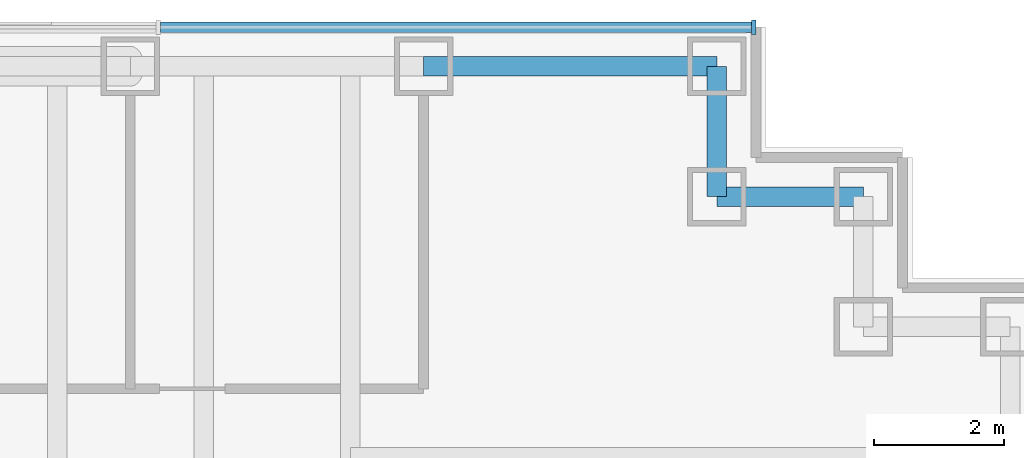
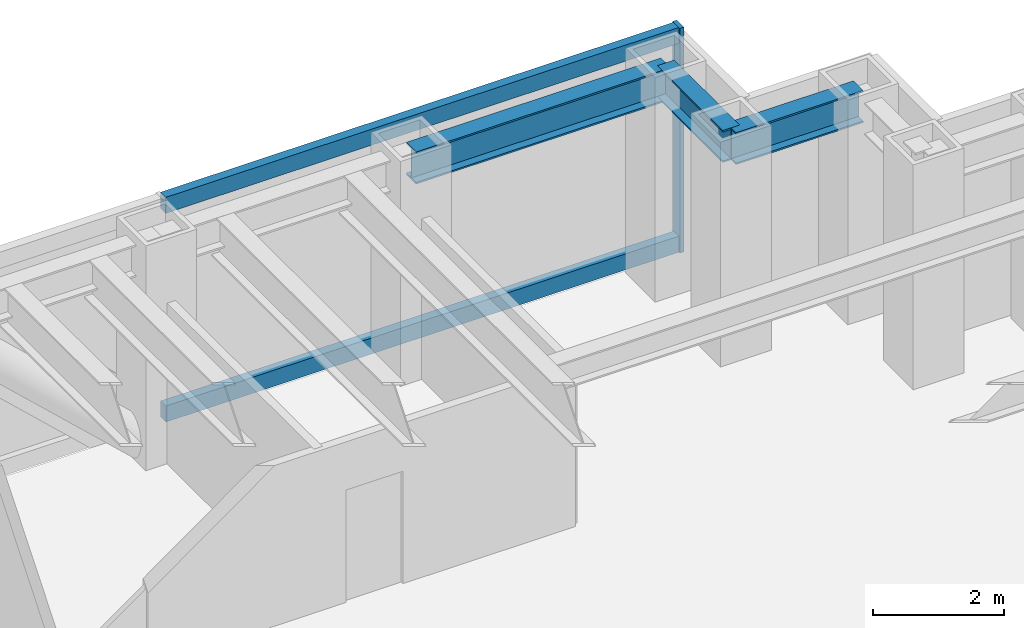
# One storey, part 8 of 17: 3 beams, 3 members, 1 element without a shape of its own.
"""IFC4 building model written with IfcOpenShell, lengths in metres."""

from ifc_helpers import new_model, si_unit, direction, frame, origin, origin_2d, place, context, subcontext, project, spatial, rectangle, i_section, extrude, material, material_profile, profile_set, type_object, element, aggregate, save


model = new_model("IFC4")

# Units and contexts
model_context = context("Model", 3, precision=1e-05, world=origin(), true_north=direction((0.0, 1.0)))
body_context = subcontext(model_context, "Body", "Model", "MODEL_VIEW")
ifc_project = project(units=[si_unit("LENGTHUNIT", "METRE"), si_unit("AREAUNIT", "SQUARE_METRE"), si_unit("VOLUMEUNIT", "CUBIC_METRE"), si_unit("PLANEANGLEUNIT", "RADIAN"), si_unit("MASSUNIT", "GRAM", prefix="KILO")], contexts=[model_context])

# Site, building, storey
site_placement = place(None, origin())
site = spatial("IfcSite", under=ifc_project, at=site_placement, CompositionType="ELEMENT")
building_placement = place(site_placement, origin())
building = spatial("IfcBuilding", under=site, at=building_placement, Name="Rheinbord Bourse Tower", CompositionType="ELEMENT")
storey_placement = place(building_placement, frame((0.0, 0.0, 223.60009765625)))
storey = spatial("IfcBuildingStorey", under=building, at=storey_placement, Name="L50", CompositionType="ELEMENT", Elevation=223.60009765625)

# Curtain wall, members
ifc_material_1 = material(Name="Dark glass and black aluminium", Category="aluminium")
curtain_wall_type = type_object("IfcCurtainWallType", Name="CW2 DARK GLASS CURTAIN WALL", PredefinedType="USERDEFINED", material=ifc_material_1)
curtain_wall_placement = place(storey_placement, origin())
curtain_wall = element("IfcCurtainWall", 1, at=curtain_wall_placement, inside=storey, type_object=curtain_wall_type, Name="Curtain wall CW2 N L50", ObjectType="UNITISED CURTAIN WALL", PredefinedType="USERDEFINED")
ifc_material_2 = material(Name="Black anodised aluminium", Category="aluminium")
ifc_material_profile_1 = material_profile(ifc_material_2, rectangle(XDim=0.219970703125, YDim=0.070068359375, at=origin_2d()), Name="CW2 MULLION 70x220")
ifc_profile_set_1 = profile_set([ifc_material_profile_1], Name="Black anodised aluminium")
member_type_1 = type_object("IfcMemberType", Name="CW2 BLACK MULLION", PredefinedType="MULLION", material=ifc_profile_set_1)
member_1_placement = place(storey_placement, frame((68.06494140625, 44.60009765625, 0.0), z_axis=(0.0, 0.0, 1.0), x_axis=(0.0, -1.0, 0.0)))
member_1 = element("IfcMember", 2, at=member_1_placement, type_object=member_type_1, Name="CW2 mullion 1", PredefinedType="MULLION", context=body_context, shape_type="SweptSolid", body=[
    extrude(rectangle(XDim=0.219970703125, YDim=0.070068359375, at=origin_2d()), origin(), (0.0, 0.0, 1.0), 4.199951171875),
])
ifc_material_3 = material(Name="Black anodised aluminium", Category="aluminium")
ifc_material_profile_2 = material_profile(ifc_material_3, rectangle(XDim=0.159912109375, YDim=0.300048828125, at=origin_2d()), Name="CW2 TRANSOM 300x160")
ifc_profile_set_2 = profile_set([ifc_material_profile_2], Name="Black anodised aluminium")
member_type_2 = type_object("IfcMemberType", Name="CW2 BLACK TRANSOM", PredefinedType="USERDEFINED", material=ifc_profile_set_2)
member_2_placement = place(storey_placement, frame((68.030029296875, 44.60009765625, 0.14990234375), z_axis=(-1.0, 0.0, 0.0), x_axis=(0.0, -1.0, 0.0)))
member_2 = element("IfcMember", 3, at=member_2_placement, type_object=member_type_2, Name="CW2 transom 1.1", ObjectType="TRANSOM", PredefinedType="USERDEFINED", context=body_context, shape_type="SweptSolid", body=[
    extrude(rectangle(XDim=0.159912109375, YDim=0.300048828125, at=origin_2d()), origin(), (0.0, 0.0, 1.0), 9.06640625),
])
member_3_placement = place(storey_placement, frame((68.030029296875, 44.60009765625, 4.0498046875), z_axis=(-1.0, 0.0, 0.0), x_axis=(0.0, -1.0, 0.0)))
member_3 = element("IfcMember", 4, at=member_3_placement, type_object=member_type_2, Name="CW2 transom 1.2", ObjectType="TRANSOM", PredefinedType="USERDEFINED", context=body_context, shape_type="SweptSolid", body=[
    extrude(rectangle(XDim=0.159912109375, YDim=0.300048828125, at=origin_2d()), origin(), (0.0, 0.0, 1.0), 9.06640625),
])
aggregate(curtain_wall, [member_1, member_2, member_3])

# Beams
ifc_material_4 = material(Name="Steel S460", Category="steel")
ifc_material_profile_3 = material_profile(ifc_material_4, i_section(OverallWidth=0.300048828125, OverallDepth=0.60009765625, WebThickness=0.015380859375, FlangeThickness=0.030029296875, at=origin_2d()), Name="HEB 600")
ifc_profile_set_3 = profile_set([ifc_material_profile_3], Name="Steel S460")
beam_type = type_object("IfcBeamType", Name="SPANDREL HEB 600", PredefinedType="SPANDREL", material=ifc_profile_set_3)
beam_1_placement = place(storey_placement, frame((69.75, 42.0, 3.739990234375), z_axis=(-1.0, 0.0, 0.0), x_axis=(0.0, -1.0, 0.0)))
element("IfcBeam", 5, at=beam_1_placement, inside=storey, type_object=beam_type, Name="Spandrel NE-C-NE-D under L51", PredefinedType="SPANDREL", context=body_context, shape_type="SweptSolid", body=[
    extrude(i_section(OverallWidth=0.300048828125, OverallDepth=0.60009765625, WebThickness=0.015380859375, FlangeThickness=0.030029296875, at=origin_2d()), origin(), (0.0, 0.0, 1.0), 2.25),
])
beam_2_placement = place(storey_placement, frame((67.5, 42.0, 3.739990234375), z_axis=(0.0, 1.0, 0.0), x_axis=(-1.0, 0.0, 0.0)))
element("IfcBeam", 6, at=beam_2_placement, inside=storey, type_object=beam_type, Name="Spandrel NE-D-NE-E under L51", PredefinedType="SPANDREL", context=body_context, shape_type="SweptSolid", body=[
    extrude(i_section(OverallWidth=0.300048828125, OverallDepth=0.60009765625, WebThickness=0.015380859375, FlangeThickness=0.030029296875, at=origin_2d()), origin(), (0.0, 0.0, 1.0), 2.0),
])
beam_3_placement = place(storey_placement, frame((67.5, 44.0, 3.739990234375), z_axis=(-1.0, 0.0, 0.0), x_axis=(0.0, -1.0, 0.0)))
element("IfcBeam", 7, at=beam_3_placement, inside=storey, type_object=beam_type, Name="Spandrel NE-E-N-63 under L51", PredefinedType="SPANDREL", context=body_context, shape_type="SweptSolid", body=[
    extrude(i_section(OverallWidth=0.300048828125, OverallDepth=0.60009765625, WebThickness=0.015380859375, FlangeThickness=0.030029296875, at=origin_2d()), origin(), (0.0, 0.0, 1.0), 4.5),
])

save(model, "model.ifc")
